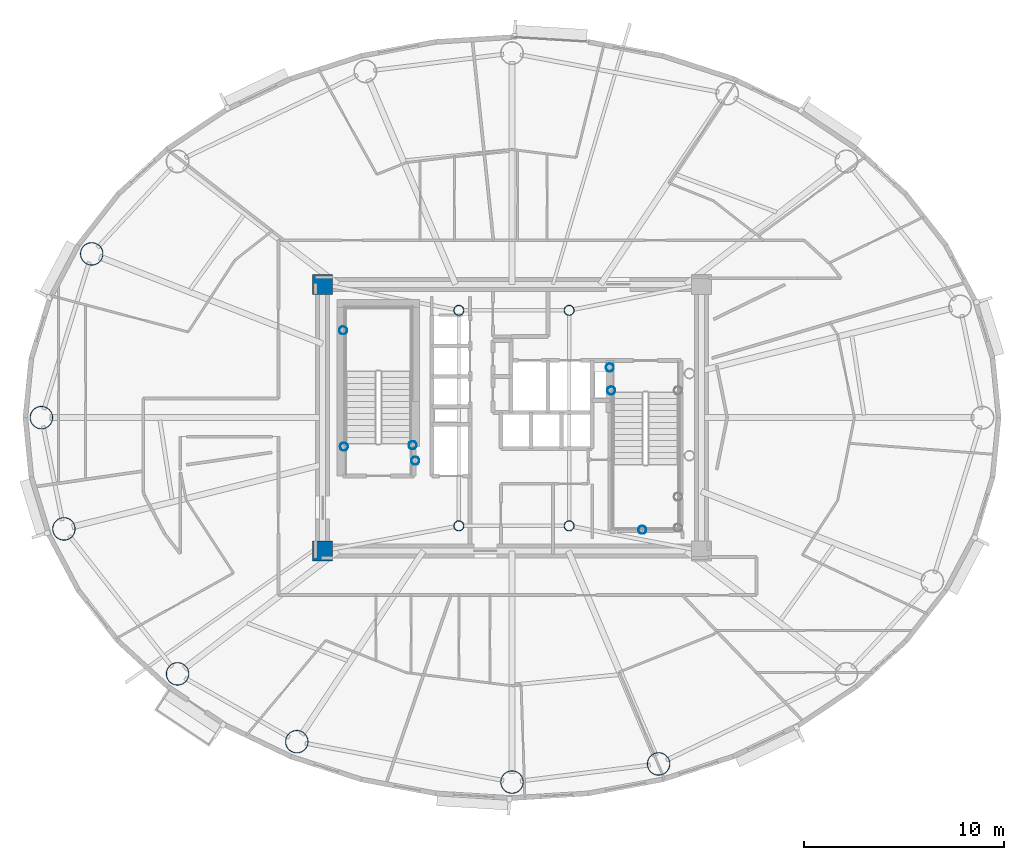
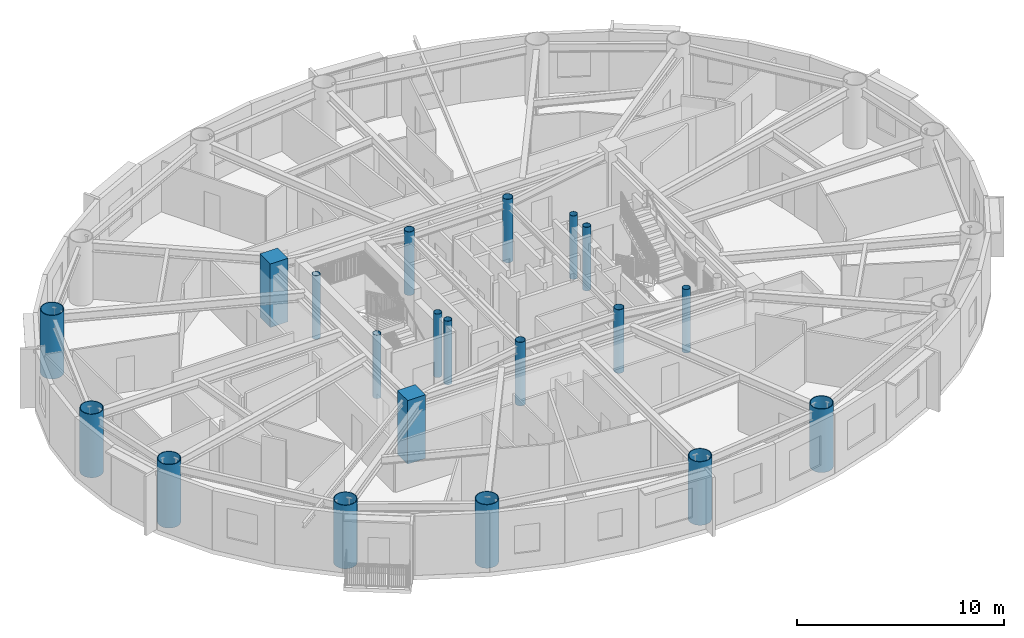
# One storey, part 1 of 19: 20 columns.
"""IFC4 building model written with IfcOpenShell, lengths in metres."""

from ifc_helpers import new_model, si_unit, direction, frame, origin, origin_2d, place, context, subcontext, project, spatial, rectangle, hollow_circle, extrude, material, material_profile, profile_set, type_object, element, save


model = new_model("IFC4")

# Units and contexts
model_context = context("Model", 3, precision=1e-05, world=origin(), true_north=direction((0.0, 1.0)))
body_context = subcontext(model_context, "Body", "Model", "MODEL_VIEW")
ifc_project = project(units=[si_unit("LENGTHUNIT", "METRE"), si_unit("AREAUNIT", "SQUARE_METRE"), si_unit("VOLUMEUNIT", "CUBIC_METRE"), si_unit("PLANEANGLEUNIT", "RADIAN"), si_unit("MASSUNIT", "GRAM", prefix="KILO")], contexts=[model_context])

# Site, building, storey
site_placement = place(None, origin())
site = spatial("IfcSite", under=ifc_project, at=site_placement, CompositionType="ELEMENT")
building_placement = place(site_placement, origin())
building = spatial("IfcBuilding", under=site, at=building_placement, Name="Linh Dai School and Residence Tower", CompositionType="ELEMENT")
storey_placement = place(building_placement, frame((0.0, 0.0, 236.550048828125)))
storey = spatial("IfcBuildingStorey", under=building, at=storey_placement, Name="L58", CompositionType="ELEMENT", Elevation=236.550048828125)

# Columns
ifc_material_1 = material(Name="Concrete B45 (C35/45)", Category="concrete")
ifc_material_profile_1 = material_profile(ifc_material_1, rectangle(XDim=1.0, YDim=1.0, at=origin_2d()), Name="RC 1000x1000")
ifc_profile_set_1 = profile_set([ifc_material_profile_1], Name="Concrete B45 (C35/45)")
column_type_1 = type_object("IfcColumnType", Name="COL-CC3", PredefinedType="COLUMN", material=ifc_profile_set_1)
for number, where, z_axis, x_axis, name in (
    (1, (26.550048828125, 20.35009765625, 0.0), (0.0, 0.0, 1.0), (1.0, 0.0, 0.0), "L58 Core Corner Pier CC1"),
    (2, (26.550048828125, 33.64990234375, 0.0), (0.0, 0.0, 1.0), (1.0, 0.0, 0.0), "L58 Core Corner Pier CC4"),
):
    element("IfcColumn", number, at=place(storey_placement, frame(where, z_axis=z_axis, x_axis=x_axis)), inside=storey, type_object=column_type_1, Name=name, PredefinedType="COLUMN", context=body_context, shape_type="SweptSolid", body=[
        extrude(rectangle(XDim=1.0, YDim=1.0, at=origin_2d()), origin(), (0.0, 0.0, 1.0), 3.75),
    ])
ifc_material_2 = material(Name="Structural Steel S355JR", Category="steel")
ifc_material_profile_2 = material_profile(ifc_material_2, hollow_circle(Radius=0.203125, WallThickness=0.01611328125, at=origin_2d()), Name="CHS 406.4x16")
ifc_profile_set_2 = profile_set([ifc_material_profile_2], Name="Structural Steel S355JR")
column_type_2 = type_object("IfcColumnType", Name="COL-EC", PredefinedType="COLUMN", material=ifc_profile_set_2)
for number, where, z_axis, x_axis, name in (
    (3, (27.580078125, 31.35009765625, 0.0), (0.0, 0.0, 1.0), (1.0, 0.0, 0.0), "L58 Stair Shaft Landing Support Pier ST1NW"),
    (4, (31.050048828125, 25.6201171875, 0.0), (0.0, 0.0, 1.0), (1.0, 0.0, 0.0), "L58 Stair Shaft Landing Support Pier ST1SE"),
    (5, (31.179931640625, 24.85009765625, 0.0), (0.0, 0.0, 1.0), (1.0, 0.0, 0.0), "L58 Stair Shaft Landing Support Pier ST1SM"),
    (6, (27.6201171875, 25.550048828125, 0.0), (0.0, 0.0, 1.0), (1.0, 0.0, 0.0), "L58 Stair Shaft Landing Support Pier ST1SW"),
    (7, (42.5, 21.39990234375, 0.0), (0.0, 0.0, 1.0), (1.0, 0.0, 0.0), "L58 Stair Shaft Landing Support Pier ST2MS"),
    (8, (40.949951171875, 28.35009765625, 0.0), (0.0, 0.0, 1.0), (1.0, 0.0, 0.0), "L58 Stair Shaft Landing Support Pier ST2N1"),
    (9, (40.8798828125, 29.5, 0.0), (0.0, 0.0, 1.0), (1.0, 0.0, 0.0), "L58 Stair Shaft Landing Support Pier ST2N3"),
):
    element("IfcColumn", number, at=place(storey_placement, frame(where, z_axis=z_axis, x_axis=x_axis)), inside=storey, type_object=column_type_2, Name=name, PredefinedType="COLUMN", context=body_context, shape_type="SweptSolid", body=[
        extrude(hollow_circle(Radius=0.203125, WallThickness=0.01611328125, at=origin_2d()), origin(), (0.0, 0.0, 1.0), 3.75),
    ])
ifc_material_profile_3 = material_profile(ifc_material_2, hollow_circle(Radius=0.574951171875, WallThickness=0.035888671875, at=origin_2d()), Name="CHS 1150x36")
ifc_profile_set_3 = profile_set([ifc_material_profile_3], Name="Structural Steel S355JR")
column_type_3 = type_object("IfcColumnType", Name="COL-MC5", PredefinedType="COLUMN", material=ifc_profile_set_3)
for number, where, z_axis, x_axis, name in (
    (10, (15.03466796875, 35.1689453125, 0.0), (0.0, 0.0, 1.0), (1.0, 0.0, 0.0), "L58 Perimeter CFT Mega-Column MC08"),
    (11, (12.52490234375, 27.0, 0.0), (0.0, 0.0, 1.0), (1.0, 0.0, 0.0), "L58 Perimeter CFT Mega-Column MC09"),
    (12, (13.648681640625, 21.45068359375, 0.0), (0.0, 0.0, 1.0), (1.0, 0.0, 0.0), "L58 Perimeter CFT Mega-Column MC10"),
    (13, (19.31689453125, 14.218994140625, 0.0), (0.0, 0.0, 1.0), (1.0, 0.0, 0.0), "L58 Perimeter CFT Mega-Column MC11"),
    (14, (25.265380859375, 10.83642578125, 0.0), (0.0, 0.0, 1.0), (1.0, 0.0, 0.0), "L58 Perimeter CFT Mega-Column MC12"),
    (15, (36.0, 8.820068359375, 0.0), (0.0, 0.0, 1.0), (1.0, 0.0, 0.0), "L58 Perimeter CFT Mega-Column MC13"),
    (16, (43.31201171875, 9.7265625, 0.0), (0.0, 0.0, 1.0), (1.0, 0.0, 0.0), "L58 Perimeter CFT Mega-Column MC14"),
):
    element("IfcColumn", number, at=place(storey_placement, frame(where, z_axis=z_axis, x_axis=x_axis)), inside=storey, type_object=column_type_3, Name=name, PredefinedType="COLUMN", context=body_context, shape_type="SweptSolid", body=[
        extrude(hollow_circle(Radius=0.574951171875, WallThickness=0.035888671875, at=origin_2d()), origin(), (0.0, 0.0, 1.0), 3.75),
    ])
ifc_material_profile_4 = material_profile(ifc_material_2, hollow_circle(Radius=0.25390625, WallThickness=0.02001953125, at=origin_2d()), Name="CHS 508x20")
ifc_profile_set_4 = profile_set([ifc_material_profile_4], Name="Structural Steel S355JR")
column_type_4 = type_object("IfcColumnType", Name="COL-MCP", PredefinedType="COLUMN", material=ifc_profile_set_4)
for number, where, z_axis, x_axis, name in (
    (17, (33.35009765625, 21.60009765625, 0.0), (0.0, 0.0, 1.0), (1.0, 0.0, 0.0), "L58 Core Mast Support Pier MCP1"),
    (18, (38.85009765625, 21.60009765625, 0.0), (0.0, 0.0, 1.0), (1.0, 0.0, 0.0), "L58 Core Mast Support Pier MCP2"),
    (19, (38.85009765625, 32.35009765625, 0.0), (0.0, 0.0, 1.0), (1.0, 0.0, 0.0), "L58 Core Mast Support Pier MCP3"),
    (20, (33.35009765625, 32.35009765625, 0.0), (0.0, 0.0, 1.0), (1.0, 0.0, 0.0), "L58 Core Mast Support Pier MCP4"),
):
    element("IfcColumn", number, at=place(storey_placement, frame(where, z_axis=z_axis, x_axis=x_axis)), inside=storey, type_object=column_type_4, Name=name, PredefinedType="COLUMN", context=body_context, shape_type="SweptSolid", body=[
        extrude(hollow_circle(Radius=0.25390625, WallThickness=0.02001953125, at=origin_2d()), origin(), (0.0, 0.0, 1.0), 3.75),
    ])

save(model, "model.ifc")
